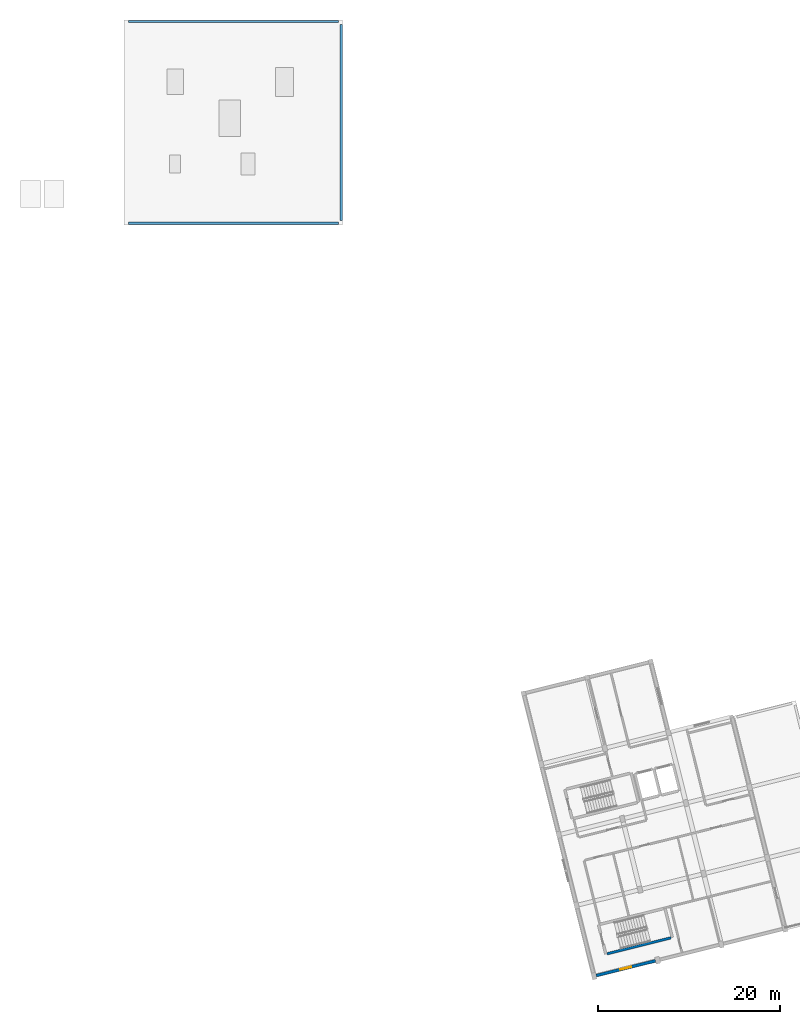
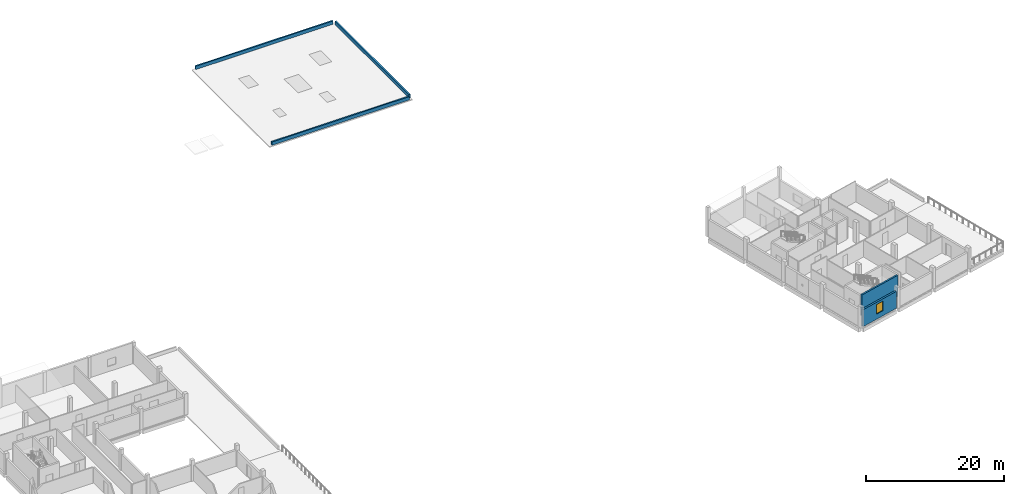
# One storey, part 7 of 14: 5 walls, 1 window, 1 opening.
"""IFC4 building model written with IfcOpenShell, lengths in metres."""

from ifc_helpers import new_model, si_unit, direction, frame, frame_2d, origin, place, context, subcontext, project, spatial, rectangle, extrude, material, layer, layer_set, type_object, element, fill, save


model = new_model("IFC4")

# Units and contexts
model_context = context("Model", 3, precision=1e-05, world=origin(), true_north=direction((0.0, 1.0)))
body_context = subcontext(model_context, "Body", "Model", "MODEL_VIEW")
ifc_project = project(units=[si_unit("LENGTHUNIT", "METRE"), si_unit("AREAUNIT", "SQUARE_METRE"), si_unit("VOLUMEUNIT", "CUBIC_METRE"), si_unit("PLANEANGLEUNIT", "RADIAN"), si_unit("MASSUNIT", "GRAM", prefix="KILO")], contexts=[model_context])

# Site, building, storey
site_placement = place(None, origin())
site = spatial("IfcSite", under=ifc_project, at=site_placement, CompositionType="ELEMENT")
building_placement = place(site_placement, origin())
building = spatial("IfcBuilding", under=site, at=building_placement, Name="Mawjan Specialist Oncology Clinic", CompositionType="ELEMENT")
storey_placement = place(building_placement, frame((0.0, 0.0, 17.5)))
storey = spatial("IfcBuildingStorey", under=building, at=storey_placement, Name="L04", CompositionType="ELEMENT", Elevation=17.5)

# Wall, opening, window
ifc_material_1 = material(Name="Precast concrete C40/50", Category="concrete")
ifc_layer_1 = layer(ifc_material_1, 0.320068359375, Name="Precast concrete C40/50", Category="concrete")
ifc_layer_set_1 = layer_set([ifc_layer_1], Name="Precast concrete C40/50")
wall_type_1 = type_object("IfcWallType", Name="EW-320", PredefinedType="SOLIDWALL", material=ifc_layer_set_1)
wall_1_placement = place(storey_placement, frame((132.74365234375, 2.4814453125, 0.0), z_axis=(0.0, 0.0, 1.0), x_axis=(-0.970296633454, -0.241918257079, 0.0)))
wall_1 = element("IfcWall", 1, at=wall_1_placement, inside=storey, type_object=wall_type_1, Name="L04 Coral-Limestone Exterior Wall EW-L04-333", PredefinedType="SOLIDWALL", context=body_context, shape_type="SweptSolid", body=[
    extrude(rectangle(XDim=6.699951171875, YDim=0.320068359375, at=frame_2d((3.35009765625, 0.0))), origin(), (0.0, 0.0, 1.0), 3.0048828125),
])
opening_placement = place(wall_1_placement, frame((2.72509765625, 0.0, 0.89990234375)))
opening = element("IfcOpeningElement", 2, at=opening_placement, cuts=wall_1, Name="Opening WN-11", PredefinedType="OPENING", context=body_context, shape_type="SweptSolid", body=[
    extrude(rectangle(XDim=1.25, YDim=1.699951171875, at=frame_2d((0.625, 0.85009765625))), frame((0.0, 0.172119140625, 0.0), z_axis=(0.0, -1.0, 0.0), x_axis=(1.0, 0.0, 0.0)), (0.0, 0.0, 1.0), 0.343994140625),
])
ifc_material_2 = material(Name="Thermally broken low-E clinical aluminium window", Category="aluminium")
window_type = type_object("IfcWindowType", Name="WN-11", PartitioningType="SINGLE_PANEL", PredefinedType="WINDOW", material=ifc_material_2)
window_placement = place(opening_placement, origin())
window = element("IfcWindow", 3, at=window_placement, inside=storey, type_object=window_type, Name="L04 Clinical Low-E Window 075", OverallHeight=1.699951171875, OverallWidth=1.25, PartitioningType="SINGLE_PANEL", PredefinedType="WINDOW", context=body_context, shape_type="SweptSolid", body=[
    extrude(rectangle(XDim=1.25, YDim=1.699951171875, at=frame_2d((0.625, 0.85009765625))), frame((0.0, 0.030029296875, 0.0), z_axis=(0.0, -1.0, 0.0), x_axis=(1.0, 0.0, 0.0)), (0.0, 0.0, 1.0), 0.06005859375),
])
fill(opening, window)

# Walls
ifc_material_3 = material(Name="Precast concrete C40/50", Category="concrete")
ifc_layer_2 = layer(ifc_material_3, 0.239990234375, Name="Precast concrete C40/50", Category="concrete")
ifc_layer_set_2 = layer_set([ifc_layer_2], Name="Precast concrete C40/50")
wall_type_2 = type_object("IfcWallType", Name="PAR-240", PredefinedType="PARAPET", material=ifc_layer_set_2)
for number, where, z_axis, x_axis, name in (
    (4, (74.8798828125, 105.6201171875, 0.0), (0.0, 0.0, 1.0), (1.0, 0.0, 0.0), "L04 Roof Parapet Upstand 4"),
    (5, (97.919921875, 83.47998046875, 0.0), (0.0, 0.0, 1.0), (-1.0, 0.0, 0.0), "L04 Roof Parapet Upstand 6"),
):
    element("IfcWall", number, at=place(storey_placement, frame(where, z_axis=z_axis, x_axis=x_axis)), inside=storey, type_object=wall_type_2, Name=name, PredefinedType="PARAPET", context=body_context, shape_type="SweptSolid", body=[
        extrude(rectangle(XDim=23.0400390625, YDim=0.239990234375, at=frame_2d((11.52001953125, 0.0))), origin(), (0.0, 0.0, 1.0), 0.60009765625),
    ])
ifc_material_4 = material(Name="Precast concrete C40/50", Category="concrete")
ifc_layer_3 = layer(ifc_material_4, 0.260009765625, Name="Precast concrete C40/50", Category="concrete")
ifc_layer_set_3 = layer_set([ifc_layer_3], Name="Precast concrete C40/50")
wall_type_3 = type_object("IfcWallType", Name="PAR-260", PredefinedType="PARAPET", material=ifc_layer_set_3)
wall_2_placement = place(storey_placement, frame((98.219970703125, 105.320068359375, 0.0), z_axis=(0.0, 0.0, 1.0), x_axis=(0.0, -1.0, 0.0)))
element("IfcWall", 6, at=wall_2_placement, inside=storey, type_object=wall_type_3, Name="L04 Roof Parapet Upstand 5", PredefinedType="PARAPET", context=body_context, shape_type="SweptSolid", body=[
    extrude(rectangle(XDim=21.5400390625, YDim=0.260009765625, at=frame_2d((10.77001953125, 0.0))), origin(), (0.0, 0.0, 1.0), 0.60009765625),
])
ifc_material_5 = material(Name="Concrete C45/55", Category="concrete")
ifc_layer_4 = layer(ifc_material_5, 0.280029296875, Name="Concrete C45/55", Category="concrete")
ifc_layer_set_4 = layer_set([ifc_layer_4], Name="Concrete C45/55")
wall_type_4 = type_object("IfcWallType", Name="SW-300", PredefinedType="SHEAR", material=ifc_layer_set_4)
wall_3_placement = place(storey_placement, frame((127.4326171875, 3.259521484375, 0.0), z_axis=(0.0, 0.0, 1.0), x_axis=(0.970289312034, 0.241947620266, 0.0)))
element("IfcWall", 7, at=wall_3_placement, inside=storey, type_object=wall_type_4, Name="L04 Core K6 Stair Shear Wall 1", PredefinedType="SHEAR", context=body_context, shape_type="SweptSolid", body=[
    extrude(rectangle(XDim=7.22998046875, YDim=0.280029296875, at=frame_2d((3.614990234375, 0.0))), origin(), (0.0, 0.0, 1.0), 3.719970703125),
])

save(model, "model.ifc")
